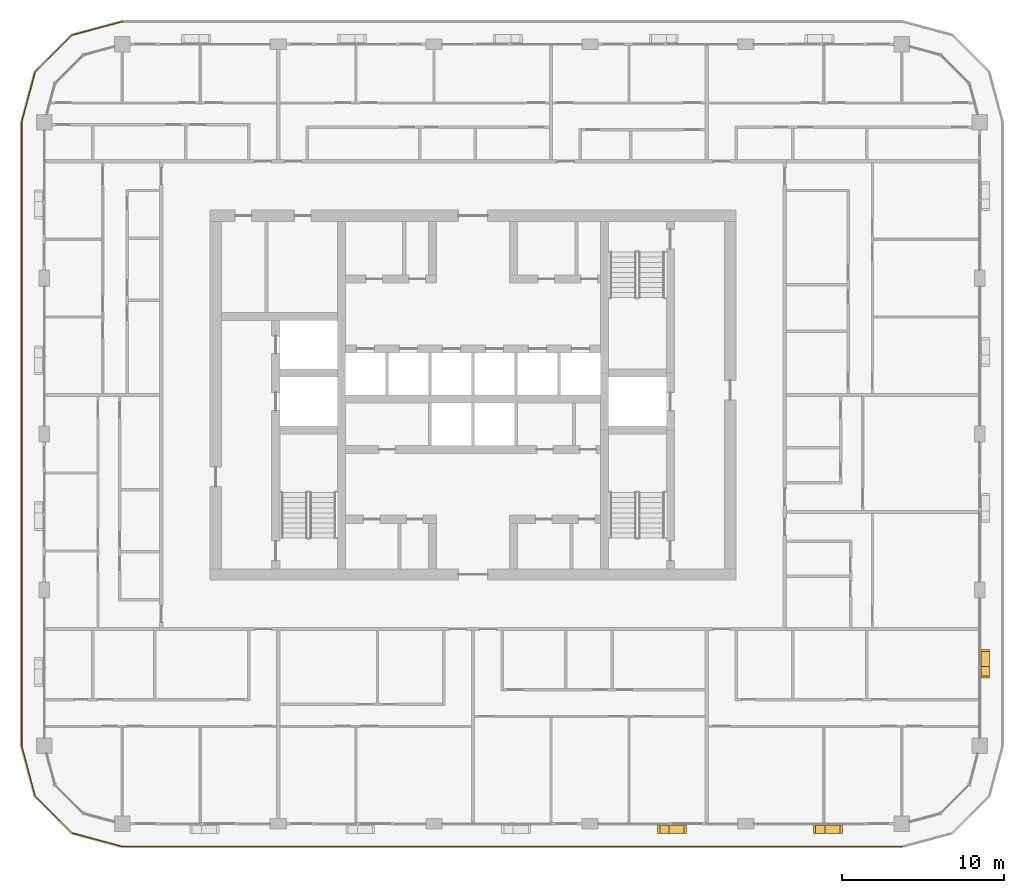
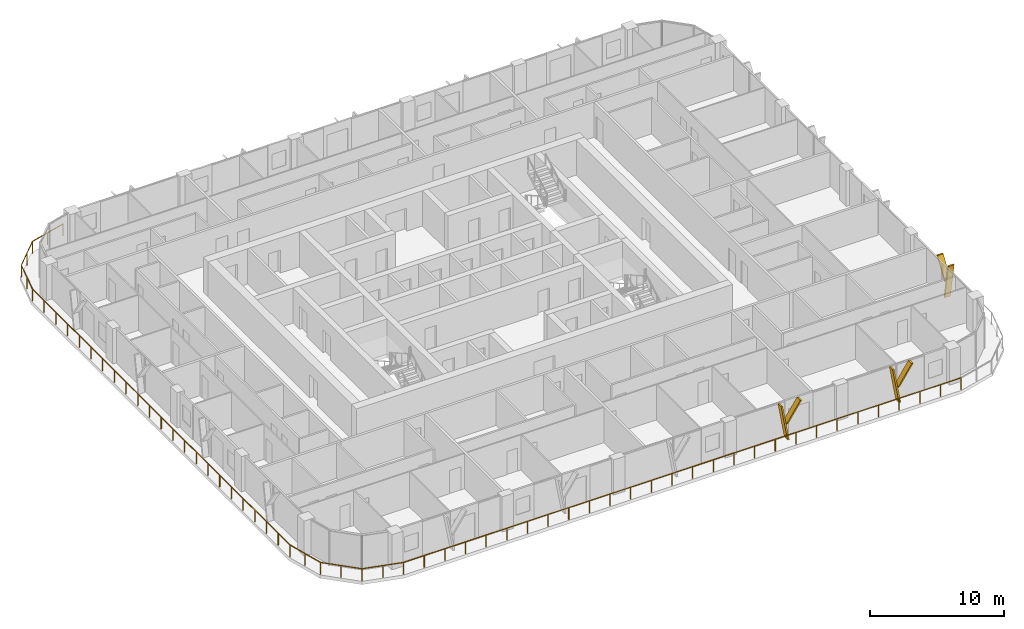
# One storey, part 19 of 22: 6 shading devices, 1 railing.
"""IFC4 building model written with IfcOpenShell, lengths in metres."""

import ifcopenshell
import ifcopenshell.guid

model = None  # the IFC model being written
_history = None  # IfcOwnerHistory: only IFC2X3 demands one
_inside = {}  # id of a spatial element -> (the spatial element, [elements in it])
_under = {}  # id of a project, library or spatial element -> (it, [spatial elements below it])
_declared = {}  # id of a project -> (the project, [libraries it declares])
_typed = {}  # id of a type object -> (the type object, [elements of that type])
_made_of = {}  # id of a material, layer set ... -> (it, [elements and type objects made of it])


def new_model(schema):
    """Start an empty IFC model of exactly this schema.

    Asked for "IFC4X3", IfcOpenShell would pick the latest addendum, in which some entities
    have other attributes; the version numbers below select the first issue.
    IFC2X3 requires an IfcOwnerHistory on every rooted entity: one is made here for all.
    """
    global model, _history
    if schema == "IFC4X3":
        model = ifcopenshell.file(schema_version=(4, 3, 0, 0))
    else:
        model = ifcopenshell.file(schema=schema)
    _inside.clear()
    _under.clear()
    _declared.clear()
    _typed.clear()
    _made_of.clear()
    _history = None
    if model.schema == "IFC2X3":
        org = make("IfcOrganization", Name="unknown")
        user = make(
            "IfcPersonAndOrganization",
            ThePerson=make("IfcPerson", FamilyName="unknown"),
            TheOrganization=org,
        )
        app = make(
            "IfcApplication",
            ApplicationDeveloper=org,
            Version="unknown",
            ApplicationFullName="unknown",
            ApplicationIdentifier="unknown",
        )
        _history = make(
            "IfcOwnerHistory",
            OwningUser=user,
            OwningApplication=app,
            ChangeAction="ADDED",
            CreationDate=0,
        )
    return model


def make(cls, **values):
    """One entity of the class cls with the attributes given. An attribute that is None is left unset."""
    return model.create_entity(
        cls, **{name: value for name, value in values.items() if value is not None}
    )


def rooted(cls, **values):
    """An entity with a GlobalId (a new one), such as an element, a storey or a relation."""
    return make(cls, GlobalId=ifcopenshell.guid.new(), OwnerHistory=_history, **values)


def si_unit(unit_type, name, prefix=None):
    """IfcSIUnit, for example si_unit("LENGTHUNIT", "METRE", prefix="MILLI")."""
    return make("IfcSIUnit", UnitType=unit_type, Prefix=prefix, Name=name)


def assignment(units):
    """IfcUnitAssignment: the units of a project."""
    return None if units is None else make("IfcUnitAssignment", Units=units)


def point(xyz):
    """IfcCartesianPoint."""
    return None if xyz is None else make("IfcCartesianPoint", Coordinates=xyz)


def direction(xyz):
    """IfcDirection."""
    return None if xyz is None else make("IfcDirection", DirectionRatios=xyz)


def frame(location, z_axis=None, x_axis=None):
    """IfcAxis2Placement3D, a coordinate frame: its origin and axes. An axis left out is left unset."""
    return make(
        "IfcAxis2Placement3D",
        Location=point(location),
        Axis=direction(z_axis),
        RefDirection=direction(x_axis),
    )


def frame_2d(location, x_axis=None):
    """IfcAxis2Placement2D, a coordinate frame in the plane: its origin and x axis."""
    return make(
        "IfcAxis2Placement2D", Location=point(location), RefDirection=direction(x_axis)
    )


def origin():
    """The frame at (0, 0, 0) with its axes left unset."""
    return frame((0.0, 0.0, 0.0))


def origin_2d():
    """The frame at (0, 0) in the plane with its x axis left unset."""
    return frame_2d((0.0, 0.0))


def place(relative_to, where):
    """IfcLocalPlacement: puts the frame where relative to a parent placement (None: the world)."""
    return make(
        "IfcLocalPlacement", PlacementRelTo=relative_to, RelativePlacement=where
    )


def context(
    kind, dimensions, precision=None, world=None, true_north=None, identifier=None
):
    """IfcGeometricRepresentationContext, for example the 3D "Model" context."""
    return make(
        "IfcGeometricRepresentationContext",
        ContextIdentifier=identifier,
        ContextType=kind,
        CoordinateSpaceDimension=dimensions,
        Precision=precision,
        WorldCoordinateSystem=world,
        TrueNorth=true_north,
    )


def subcontext(parent, identifier, kind, view, scale=None):
    """IfcGeometricRepresentationSubContext, for example "Body" below "Model"."""
    return make(
        "IfcGeometricRepresentationSubContext",
        ContextIdentifier=identifier,
        ContextType=kind,
        ParentContext=parent,
        TargetScale=scale,
        TargetView=view,
    )


def project(units=None, contexts=None):
    """IfcProject with its units and contexts."""
    return rooted(
        "IfcProject",
        Name="project",
        RepresentationContexts=contexts,
        UnitsInContext=assignment(units),
    )


def spatial(cls, under=None, at=None, **own):
    """A site, building, storey or space (cls), placed at a placement, below another one or the project."""
    s = rooted(cls, ObjectPlacement=at, **own)
    if under is not None:
        _under.setdefault(under.id(), (under, []))[1].append(s)
    return s


def polyline(points):
    """IfcPolyline through the points."""
    return make("IfcPolyline", Points=[point(p) for p in points])


def profile(cls, at=None, kind="AREA", **sizes):
    """A parametric profile (cls). Its sizes go by their IFC names, for example OverallWidth=200.0."""
    return make(cls, ProfileType=kind, Position=at, **sizes)


def circle(**sizes):
    """IfcCircleProfileDef."""
    return profile("IfcCircleProfileDef", **sizes)


def outline(outer, holes=None, kind="AREA"):
    """IfcArbitraryClosedProfileDef: a profile drawn as a closed curve; with holes, ...WithVoids."""
    if holes is None:
        return make("IfcArbitraryClosedProfileDef", ProfileType=kind, OuterCurve=outer)
    return make(
        "IfcArbitraryProfileDefWithVoids",
        ProfileType=kind,
        OuterCurve=outer,
        InnerCurves=holes,
    )


def extrude(swept, where, along, depth):
    """IfcExtrudedAreaSolid: the profile swept, set in the frame where, extruded along a direction by depth."""
    return make(
        "IfcExtrudedAreaSolid",
        SweptArea=swept,
        Position=where,
        ExtrudedDirection=direction(along),
        Depth=depth,
    )


def shape(context_of_items, identifier, shape_type, items):
    """IfcShapeRepresentation: the items that make up one representation, for example the "Body"."""
    return make(
        "IfcShapeRepresentation",
        ContextOfItems=context_of_items,
        RepresentationIdentifier=identifier,
        RepresentationType=shape_type,
        Items=items,
    )


def material(Name=None, Category=None):
    """IfcMaterial."""
    return make("IfcMaterial", Name=Name, Category=Category)


def made_of(thing, what):
    """Note that an element or type object is made of a material, layer set ...; save() writes the relation."""
    if what is not None:
        _made_of.setdefault(what.id(), (what, []))[1].append(thing)
    return thing


def type_object(cls, material=None, **own):
    """A type object (cls), such as IfcWallType, which elements share."""
    return made_of(rooted(cls, **own), material)


def element(
    cls,
    number,
    at=None,
    inside=None,
    cuts=None,
    type_object=None,
    material=None,
    context=None,
    identifier="Body",
    shape_type=None,
    held_by="IfcProductDefinitionShape",
    body=None,
    shapes=None,
    **own,
):
    """One element of the class cls, such as IfcWall. Its Tag is "e" and its number.

    at: its placement. inside: the storey or other place that contains it. cuts: it is an
    opening in that element (IfcRelVoidsElement). A single representation is given by context,
    identifier, shape_type and body (its items); several are given by shapes. held_by: the class
    of the entity that holds the representations. save() writes the other relations.
    """
    e = rooted(cls, Tag="e%d" % number, ObjectPlacement=at, **own)
    if body is not None:
        shapes = [shape(context, identifier, shape_type, body)]
    if shapes is not None:
        e.Representation = make(held_by, Representations=shapes)
    if inside is not None:
        _inside.setdefault(inside.id(), (inside, []))[1].append(e)
    if cuts is not None:
        rooted(
            "IfcRelVoidsElement", RelatingBuildingElement=cuts, RelatedOpeningElement=e
        )
    if type_object is not None:
        _typed.setdefault(type_object.id(), (type_object, []))[1].append(e)
    return made_of(e, material)


def aggregate(whole, parts):
    """IfcRelAggregates: a whole, such as a stair, and the parts it consists of."""
    return rooted("IfcRelAggregates", RelatingObject=whole, RelatedObjects=parts)


def save(model, path):
    """Write the relations noted so far, then the file.

    IfcRelAggregates (storeys below a building ...), IfcRelContainedInSpatialStructure (elements
    in a storey), IfcRelDefinesByType, IfcRelAssociatesMaterial and IfcRelDeclares: one each for
    every whole, place, type object, material and project.
    """
    for whole, parts in _under.values():
        aggregate(whole, parts)
    for where, things in _inside.values():
        rooted(
            "IfcRelContainedInSpatialStructure",
            RelatedElements=things,
            RelatingStructure=where,
        )
    for kind, things in _typed.values():
        rooted("IfcRelDefinesByType", RelatedObjects=things, RelatingType=kind)
    for what, things in _made_of.values():
        rooted("IfcRelAssociatesMaterial", RelatedObjects=things, RelatingMaterial=what)
    for by, libraries in _declared.values():
        rooted("IfcRelDeclares", RelatingContext=by, RelatedDefinitions=libraries)
    model.write(path)


model = new_model("IFC4")

# Units and contexts
model_context = context("Model", 3, precision=1e-05, world=origin(), true_north=direction((0.0, 1.0)))
body_context = subcontext(model_context, "Body", "Model", "MODEL_VIEW")
ifc_project = project(units=[si_unit("LENGTHUNIT", "METRE"), si_unit("AREAUNIT", "SQUARE_METRE"), si_unit("VOLUMEUNIT", "CUBIC_METRE"), si_unit("PLANEANGLEUNIT", "RADIAN"), si_unit("MASSUNIT", "GRAM", prefix="KILO")], contexts=[model_context])

# Site, building, storey
site_placement = place(None, origin())
site = spatial("IfcSite", under=ifc_project, at=site_placement, CompositionType="ELEMENT")
building_placement = place(site_placement, origin())
building = spatial("IfcBuilding", under=site, at=building_placement, Name="Madar Terraces", CompositionType="ELEMENT")
storey_placement = place(building_placement, frame((0.0, 0.0, 192.89990234375)))
storey = spatial("IfcBuildingStorey", under=building, at=storey_placement, Name="L50", CompositionType="ELEMENT", Elevation=192.89990234375)

# Railing
ifc_material_1 = material(Name="Glass, safety glazing, with stainless steel posts", Category="steel")
railing_type = type_object("IfcRailingType", Name="Balcony glass guard 1100", PredefinedType="GUARDRAIL", material=ifc_material_1)
railing_placement = place(storey_placement, frame((9.60009765625, 49.39990234375, 0.0)))
element("IfcRailing", 1, at=railing_placement, inside=storey, type_object=railing_type, Name="Balcony guard", PredefinedType="GUARDRAIL", context=body_context, shape_type="SweptSolid", body=[
    extrude(circle(Radius=0.02392578125, at=origin_2d()), frame((0.0, 0.0, 1.076171875), z_axis=(-0.9659337912, -0.258789317819, 0.0), x_axis=(0.258789317819, -0.9659337912, 0.0)), (0.0, 0.0, 1.0), 3.20947265625),
    extrude(circle(Radius=0.02392578125, at=origin_2d()), frame((-3.10009765625, -0.83056640625, 1.076171875), z_axis=(-0.707106781187, -0.707106781187, 0.0), x_axis=(0.707106781187, -0.707106781187, 0.0)), (0.0, 0.0, 1.0), 3.209228515625),
    extrude(circle(Radius=0.02392578125, at=origin_2d()), frame((-5.369384765625, -3.099853515625, 1.076171875), z_axis=(-0.258860290944, -0.965914773555, 0.0), x_axis=(0.965914773555, -0.258860290944, 0.0)), (0.0, 0.0, 1.0), 3.20947265625),
    extrude(circle(Radius=0.02392578125, at=origin_2d()), frame((-6.2001953125, -6.199951171875, 1.076171875), z_axis=(0.0, -1.0, 0.0), x_axis=(1.0, 0.0, 0.0)), (0.0, 0.0, 1.0), 38.39990234375),
    extrude(circle(Radius=0.02392578125, at=origin_2d()), frame((-6.2001953125, -44.599853515625, 1.076171875), z_axis=(0.258860290944, -0.965914773555, 0.0), x_axis=(0.965914773555, 0.258860290944, 0.0)), (0.0, 0.0, 1.0), 3.20947265625),
    extrude(circle(Radius=0.02392578125, at=origin_2d()), frame((-5.369384765625, -47.699951171875, 1.076171875), z_axis=(0.707106781187, -0.707106781187, 0.0), x_axis=(0.707106781187, 0.707106781187, 0.0)), (0.0, 0.0, 1.0), 3.209228515625),
    extrude(circle(Radius=0.02392578125, at=origin_2d()), frame((-3.10009765625, -49.96923828125, 1.076171875), z_axis=(0.9659337912, -0.258789317819, 0.0), x_axis=(0.258789317819, 0.9659337912, 0.0)), (0.0, 0.0, 1.0), 3.20947265625),
    extrude(circle(Radius=0.02392578125, at=origin_2d()), frame((0.0, -50.7998046875, 1.076171875), z_axis=(1.0, 0.0, 0.0), x_axis=(0.0, 1.0, 0.0)), (0.0, 0.0, 1.0), 48.0),
    extrude(circle(Radius=0.02099609375, at=origin_2d()), origin(), (0.0, 0.0, 1.0), 1.052001953125),
    extrude(circle(Radius=0.02099609375, at=origin_2d()), frame((-1.550048828125, -0.415283203125, 0.0)), (0.0, 0.0, 1.0), 1.052001953125),
    extrude(circle(Radius=0.02099609375, at=origin_2d()), frame((-3.10009765625, -0.83056640625, 0.0)), (0.0, 0.0, 1.0), 1.052001953125),
    extrude(circle(Radius=0.02099609375, at=origin_2d()), frame((-4.23486328125, -1.96533203125, 0.0)), (0.0, 0.0, 1.0), 1.052001953125),
    extrude(circle(Radius=0.02099609375, at=origin_2d()), frame((-5.369384765625, -3.099853515625, 0.0)), (0.0, 0.0, 1.0), 1.052001953125),
    extrude(circle(Radius=0.02099609375, at=origin_2d()), frame((-5.78466796875, -4.64990234375, 0.0)), (0.0, 0.0, 1.0), 1.052001953125),
    extrude(circle(Radius=0.02099609375, at=origin_2d()), frame((-6.2001953125, -6.199951171875, 0.0)), (0.0, 0.0, 1.0), 1.052001953125),
    extrude(circle(Radius=0.02099609375, at=origin_2d()), frame((-6.2001953125, -7.9453125, 0.0)), (0.0, 0.0, 1.0), 1.052001953125),
    extrude(circle(Radius=0.02099609375, at=origin_2d()), frame((-6.2001953125, -9.69091796875, 0.0)), (0.0, 0.0, 1.0), 1.052001953125),
    extrude(circle(Radius=0.02099609375, at=origin_2d()), frame((-6.2001953125, -11.436279296875, 0.0)), (0.0, 0.0, 1.0), 1.052001953125),
    extrude(circle(Radius=0.02099609375, at=origin_2d()), frame((-6.2001953125, -13.181640625, 0.0)), (0.0, 0.0, 1.0), 1.052001953125),
    extrude(circle(Radius=0.02099609375, at=origin_2d()), frame((-6.2001953125, -14.92724609375, 0.0)), (0.0, 0.0, 1.0), 1.052001953125),
    extrude(circle(Radius=0.02099609375, at=origin_2d()), frame((-6.2001953125, -16.672607421875, 0.0)), (0.0, 0.0, 1.0), 1.052001953125),
    extrude(circle(Radius=0.02099609375, at=origin_2d()), frame((-6.2001953125, -18.418212890625, 0.0)), (0.0, 0.0, 1.0), 1.052001953125),
    extrude(circle(Radius=0.02099609375, at=origin_2d()), frame((-6.2001953125, -20.16357421875, 0.0)), (0.0, 0.0, 1.0), 1.052001953125),
    extrude(circle(Radius=0.02099609375, at=origin_2d()), frame((-6.2001953125, -21.908935546875, 0.0)), (0.0, 0.0, 1.0), 1.052001953125),
    extrude(circle(Radius=0.02099609375, at=origin_2d()), frame((-6.2001953125, -23.654541015625, 0.0)), (0.0, 0.0, 1.0), 1.052001953125),
    extrude(circle(Radius=0.02099609375, at=origin_2d()), frame((-6.2001953125, -25.39990234375, 0.0)), (0.0, 0.0, 1.0), 1.052001953125),
    extrude(circle(Radius=0.02099609375, at=origin_2d()), frame((-6.2001953125, -27.145263671875, 0.0)), (0.0, 0.0, 1.0), 1.052001953125),
    extrude(circle(Radius=0.02099609375, at=origin_2d()), frame((-6.2001953125, -28.890869140625, 0.0)), (0.0, 0.0, 1.0), 1.052001953125),
    extrude(circle(Radius=0.02099609375, at=origin_2d()), frame((-6.2001953125, -30.63623046875, 0.0)), (0.0, 0.0, 1.0), 1.052001953125),
    extrude(circle(Radius=0.02099609375, at=origin_2d()), frame((-6.2001953125, -32.381591796875, 0.0)), (0.0, 0.0, 1.0), 1.052001953125),
    extrude(circle(Radius=0.02099609375, at=origin_2d()), frame((-6.2001953125, -34.127197265625, 0.0)), (0.0, 0.0, 1.0), 1.052001953125),
    extrude(circle(Radius=0.02099609375, at=origin_2d()), frame((-6.2001953125, -35.87255859375, 0.0)), (0.0, 0.0, 1.0), 1.052001953125),
    extrude(circle(Radius=0.02099609375, at=origin_2d()), frame((-6.2001953125, -37.6181640625, 0.0)), (0.0, 0.0, 1.0), 1.052001953125),
    extrude(circle(Radius=0.02099609375, at=origin_2d()), frame((-6.2001953125, -39.363525390625, 0.0)), (0.0, 0.0, 1.0), 1.052001953125),
    extrude(circle(Radius=0.02099609375, at=origin_2d()), frame((-6.2001953125, -41.10888671875, 0.0)), (0.0, 0.0, 1.0), 1.052001953125),
    extrude(circle(Radius=0.02099609375, at=origin_2d()), frame((-6.2001953125, -42.8544921875, 0.0)), (0.0, 0.0, 1.0), 1.052001953125),
    extrude(circle(Radius=0.02099609375, at=origin_2d()), frame((-6.2001953125, -44.599853515625, 0.0)), (0.0, 0.0, 1.0), 1.052001953125),
    extrude(circle(Radius=0.02099609375, at=origin_2d()), frame((-5.78466796875, -46.14990234375, 0.0)), (0.0, 0.0, 1.0), 1.052001953125),
    extrude(circle(Radius=0.02099609375, at=origin_2d()), frame((-5.369384765625, -47.699951171875, 0.0)), (0.0, 0.0, 1.0), 1.052001953125),
    extrude(circle(Radius=0.02099609375, at=origin_2d()), frame((-4.23486328125, -48.83447265625, 0.0)), (0.0, 0.0, 1.0), 1.052001953125),
    extrude(circle(Radius=0.02099609375, at=origin_2d()), frame((-3.10009765625, -49.96923828125, 0.0)), (0.0, 0.0, 1.0), 1.052001953125),
    extrude(circle(Radius=0.02099609375, at=origin_2d()), frame((-1.550048828125, -50.384521484375, 0.0)), (0.0, 0.0, 1.0), 1.052001953125),
    extrude(circle(Radius=0.02099609375, at=origin_2d()), frame((0.0, -50.7998046875, 0.0)), (0.0, 0.0, 1.0), 1.052001953125),
    extrude(circle(Radius=0.02099609375, at=origin_2d()), frame((1.77783203125, -50.7998046875, 0.0)), (0.0, 0.0, 1.0), 1.052001953125),
    extrude(circle(Radius=0.02099609375, at=origin_2d()), frame((3.5556640625, -50.7998046875, 0.0)), (0.0, 0.0, 1.0), 1.052001953125),
    extrude(circle(Radius=0.02099609375, at=origin_2d()), frame((5.333251953125, -50.7998046875, 0.0)), (0.0, 0.0, 1.0), 1.052001953125),
    extrude(circle(Radius=0.02099609375, at=origin_2d()), frame((7.111083984375, -50.7998046875, 0.0)), (0.0, 0.0, 1.0), 1.052001953125),
    extrude(circle(Radius=0.02099609375, at=origin_2d()), frame((8.888916015625, -50.7998046875, 0.0)), (0.0, 0.0, 1.0), 1.052001953125),
    extrude(circle(Radius=0.02099609375, at=origin_2d()), frame((10.666748046875, -50.7998046875, 0.0)), (0.0, 0.0, 1.0), 1.052001953125),
    extrude(circle(Radius=0.02099609375, at=origin_2d()), frame((12.4443359375, -50.7998046875, 0.0)), (0.0, 0.0, 1.0), 1.052001953125),
    extrude(circle(Radius=0.02099609375, at=origin_2d()), frame((14.22216796875, -50.7998046875, 0.0)), (0.0, 0.0, 1.0), 1.052001953125),
    extrude(circle(Radius=0.02099609375, at=origin_2d()), frame((16.0, -50.7998046875, 0.0)), (0.0, 0.0, 1.0), 1.052001953125),
    extrude(circle(Radius=0.02099609375, at=origin_2d()), frame((17.77783203125, -50.7998046875, 0.0)), (0.0, 0.0, 1.0), 1.052001953125),
    extrude(circle(Radius=0.02099609375, at=origin_2d()), frame((19.5556640625, -50.7998046875, 0.0)), (0.0, 0.0, 1.0), 1.052001953125),
    extrude(circle(Radius=0.02099609375, at=origin_2d()), frame((21.333251953125, -50.7998046875, 0.0)), (0.0, 0.0, 1.0), 1.052001953125),
    extrude(circle(Radius=0.02099609375, at=origin_2d()), frame((23.111083984375, -50.7998046875, 0.0)), (0.0, 0.0, 1.0), 1.052001953125),
    extrude(circle(Radius=0.02099609375, at=origin_2d()), frame((24.888916015625, -50.7998046875, 0.0)), (0.0, 0.0, 1.0), 1.052001953125),
    extrude(circle(Radius=0.02099609375, at=origin_2d()), frame((26.666748046875, -50.7998046875, 0.0)), (0.0, 0.0, 1.0), 1.052001953125),
    extrude(circle(Radius=0.02099609375, at=origin_2d()), frame((28.4443359375, -50.7998046875, 0.0)), (0.0, 0.0, 1.0), 1.052001953125),
    extrude(circle(Radius=0.02099609375, at=origin_2d()), frame((30.22216796875, -50.7998046875, 0.0)), (0.0, 0.0, 1.0), 1.052001953125),
    extrude(circle(Radius=0.02099609375, at=origin_2d()), frame((32.0, -50.7998046875, 0.0)), (0.0, 0.0, 1.0), 1.052001953125),
    extrude(circle(Radius=0.02099609375, at=origin_2d()), frame((33.77783203125, -50.7998046875, 0.0)), (0.0, 0.0, 1.0), 1.052001953125),
    extrude(circle(Radius=0.02099609375, at=origin_2d()), frame((35.5556640625, -50.7998046875, 0.0)), (0.0, 0.0, 1.0), 1.052001953125),
    extrude(circle(Radius=0.02099609375, at=origin_2d()), frame((37.333251953125, -50.7998046875, 0.0)), (0.0, 0.0, 1.0), 1.052001953125),
    extrude(circle(Radius=0.02099609375, at=origin_2d()), frame((39.111083984375, -50.7998046875, 0.0)), (0.0, 0.0, 1.0), 1.052001953125),
    extrude(circle(Radius=0.02099609375, at=origin_2d()), frame((40.888916015625, -50.7998046875, 0.0)), (0.0, 0.0, 1.0), 1.052001953125),
    extrude(circle(Radius=0.02099609375, at=origin_2d()), frame((42.666748046875, -50.7998046875, 0.0)), (0.0, 0.0, 1.0), 1.052001953125),
    extrude(circle(Radius=0.02099609375, at=origin_2d()), frame((44.4443359375, -50.7998046875, 0.0)), (0.0, 0.0, 1.0), 1.052001953125),
    extrude(circle(Radius=0.02099609375, at=origin_2d()), frame((46.22216796875, -50.7998046875, 0.0)), (0.0, 0.0, 1.0), 1.052001953125),
    extrude(circle(Radius=0.02099609375, at=origin_2d()), frame((48.0, -50.7998046875, 0.0)), (0.0, 0.0, 1.0), 1.052001953125),
])

# Shading devices
ifc_material_2 = material(Name="Aluminium, black anodised", Category="aluminium")
shading_device_type = type_object("IfcShadingDeviceType", Name="Facade fin blade 140 x 500", PredefinedType="USERDEFINED", material=ifc_material_2)
shading_device_1_placement = place(storey_placement, frame((43.1298828125, -0.35009765625, 0.0), z_axis=(0.0, 0.0, 1.0), x_axis=(1.0, 0.0, 0.0)))
element("IfcShadingDevice", 2, at=shading_device_1_placement, inside=storey, type_object=shading_device_type, Name="FIN L50 S4", ObjectType="FIN", PredefinedType="USERDEFINED", context=body_context, shape_type="SweptSolid", body=[
    extrude(outline(polyline([(0.0, 0.0), (0.14013671875, 0.0), (-0.42431640625, 3.2001953125), (-0.564208984375, 3.2001953125), (0.0, 0.0)])), frame((0.0, 0.25, 0.0), z_axis=(0.0, -1.0, 0.0), x_axis=(1.0, 0.0, 0.0)), (0.0, 0.0, 1.0), 0.5),
])
shading_device_2_placement = place(storey_placement, frame((43.01611328125, -0.35009765625, 1.440185546875), z_axis=(0.0, 0.0, 1.0), x_axis=(1.0, 0.0, 0.0)))
element("IfcShadingDevice", 3, at=shading_device_2_placement, inside=storey, type_object=shading_device_type, Name="FIN L50 S4 branch", ObjectType="FIN", PredefinedType="USERDEFINED", context=body_context, shape_type="SweptSolid", body=[
    extrude(outline(polyline([(0.0, 0.0), (0.139892578125, 0.0), (1.32958984375, 1.760009765625), (1.189697265625, 1.760009765625), (0.0, 0.0)])), frame((0.0, 0.25, 0.0), z_axis=(0.0, -1.0, 0.0), x_axis=(1.0, 0.0, 0.0)), (0.0, 0.0, 1.0), 0.5),
])
shading_device_3_placement = place(storey_placement, frame((52.72998046875, -0.35009765625, 0.0), z_axis=(0.0, 0.0, 1.0), x_axis=(1.0, 0.0, 0.0)))
element("IfcShadingDevice", 4, at=shading_device_3_placement, inside=storey, type_object=shading_device_type, Name="FIN L50 S5", ObjectType="FIN", PredefinedType="USERDEFINED", context=body_context, shape_type="SweptSolid", body=[
    extrude(outline(polyline([(0.0, 0.0), (0.14013671875, 0.0), (-0.42431640625, 3.2001953125), (-0.564208984375, 3.2001953125), (0.0, 0.0)])), frame((0.0, 0.25, 0.0), z_axis=(0.0, -1.0, 0.0), x_axis=(1.0, 0.0, 0.0)), (0.0, 0.0, 1.0), 0.5),
])
shading_device_4_placement = place(storey_placement, frame((52.6162109375, -0.35009765625, 1.440185546875), z_axis=(0.0, 0.0, 1.0), x_axis=(1.0, 0.0, 0.0)))
element("IfcShadingDevice", 5, at=shading_device_4_placement, inside=storey, type_object=shading_device_type, Name="FIN L50 S5 branch", ObjectType="FIN", PredefinedType="USERDEFINED", context=body_context, shape_type="SweptSolid", body=[
    extrude(outline(polyline([(0.0, 0.0), (0.139892578125, 0.0), (1.32958984375, 1.760009765625), (1.189697265625, 1.760009765625), (0.0, 0.0)])), frame((0.0, 0.25, 0.0), z_axis=(0.0, -1.0, 0.0), x_axis=(1.0, 0.0, 0.0)), (0.0, 0.0, 1.0), 0.5),
])
shading_device_5_placement = place(storey_placement, frame((62.75, 9.530029296875, 0.0), z_axis=(0.0, 0.0, 1.0), x_axis=(0.0, 1.0, 0.0)))
element("IfcShadingDevice", 6, at=shading_device_5_placement, inside=storey, type_object=shading_device_type, Name="FIN L50 E1", ObjectType="FIN", PredefinedType="USERDEFINED", context=body_context, shape_type="SweptSolid", body=[
    extrude(outline(polyline([(0.0, 0.0), (0.139892578125, 0.0), (-0.42431640625, 3.2001953125), (-0.564208984375, 3.2001953125), (0.0, 0.0)])), frame((0.0, 0.25, 0.0), z_axis=(0.0, -1.0, 0.0), x_axis=(1.0, 0.0, 0.0)), (0.0, 0.0, 1.0), 0.5),
])
shading_device_6_placement = place(storey_placement, frame((62.75, 9.416015625, 1.440185546875), z_axis=(0.0, 0.0, 1.0), x_axis=(0.0, 1.0, 0.0)))
element("IfcShadingDevice", 7, at=shading_device_6_placement, inside=storey, type_object=shading_device_type, Name="FIN L50 E1 branch", ObjectType="FIN", PredefinedType="USERDEFINED", context=body_context, shape_type="SweptSolid", body=[
    extrude(outline(polyline([(0.0, 0.0), (0.14013671875, 0.0), (1.32958984375, 1.760009765625), (1.189697265625, 1.760009765625), (0.0, 0.0)])), frame((0.0, 0.25, 0.0), z_axis=(0.0, -1.0, 0.0), x_axis=(1.0, 0.0, 0.0)), (0.0, 0.0, 1.0), 0.5),
])

save(model, "model.ifc")
